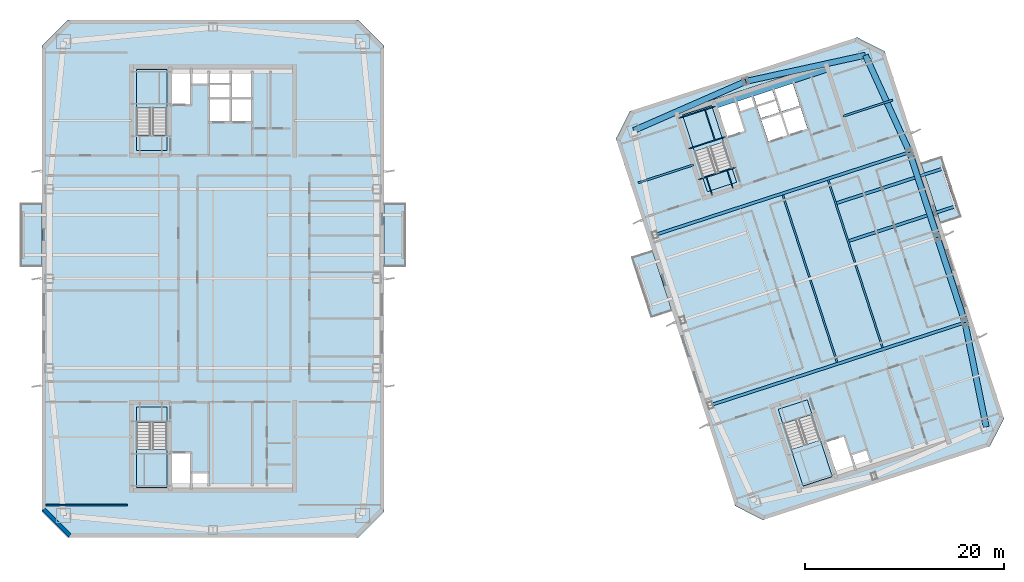
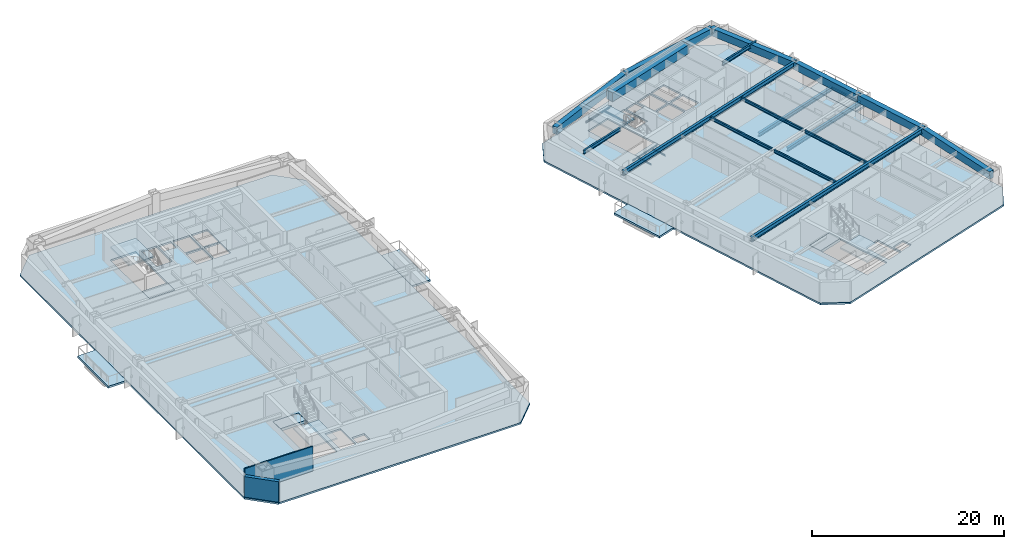
# One storey, part 4 of 17: 24 beams, 14 slabs, 2 walls, 4 elements without a shape of their own.
"""IFC4 building model written with IfcOpenShell, lengths in metres."""

from ifc_helpers import new_model, si_unit, direction, frame, frame_2d, origin, origin_2d, place, context, subcontext, project, spatial, polyline, rectangle, i_section, outline, extrude, material, layer, layer_set, material_profile, profile_set, type_object, element, aggregate, save


model = new_model("IFC4")

# Units and contexts
model_context = context("Model", 3, precision=1e-05, world=origin(), true_north=direction((0.0, 1.0)))
body_context = subcontext(model_context, "Body", "Model", "MODEL_VIEW")
ifc_project = project(units=[si_unit("LENGTHUNIT", "METRE"), si_unit("AREAUNIT", "SQUARE_METRE"), si_unit("VOLUMEUNIT", "CUBIC_METRE"), si_unit("PLANEANGLEUNIT", "RADIAN"), si_unit("MASSUNIT", "GRAM", prefix="KILO")], contexts=[model_context])

# Site, building, storey
site_placement = place(None, origin())
site = spatial("IfcSite", under=ifc_project, at=site_placement, CompositionType="ELEMENT")
building_placement = place(site_placement, origin())
building = spatial("IfcBuilding", under=site, at=building_placement, Name="Qiaolan Cultural Towers", CompositionType="ELEMENT")
storey_placement = place(building_placement, frame((0.0, 0.0, 205.85009765625)))
storey = spatial("IfcBuildingStorey", under=building, at=storey_placement, Name="L55", CompositionType="ELEMENT", Elevation=205.85009765625)

# Beams
ifc_material_1 = material(Name="Steel Q355B", Category="steel")
ifc_material_profile_1 = material_profile(ifc_material_1, i_section(OverallWidth=0.300048828125, OverallDepth=0.488037109375, WebThickness=0.010986328125, FlangeThickness=0.01806640625, at=origin_2d()), Name="HM488x300x11x18")
ifc_profile_set_1 = profile_set([ifc_material_profile_1], Name="Steel Q355B")
beam_type_1 = type_object("IfcBeamType", Name="BM-HM488x300x11x18", PredefinedType="BEAM", material=ifc_profile_set_1)
beam_1_placement = place(storey_placement, frame((93.823486328125, 37.765869140625, -0.524169921875), z_axis=(0.951061016342, 0.309003144311, 0.0), x_axis=(-0.309003144311, 0.951061016342, 0.0)))
element("IfcBeam", 1, at=beam_1_placement, inside=storey, type_object=beam_type_1, Name="L55 T2 Tree Balcony Back-Spanned Bracket Beam", PredefinedType="BEAM", context=body_context, shape_type="SweptSolid", body=[
    extrude(i_section(OverallWidth=0.300048828125, OverallDepth=0.488037109375, WebThickness=0.010986328125, FlangeThickness=0.01806640625, at=origin_2d()), origin(), (0.0, 0.0, 1.0), 11.449951171875),
])
beam_2_placement = place(storey_placement, frame((92.58740234375, 41.570068359375, -0.524169921875), z_axis=(0.951054749965, 0.309022430527, 0.0), x_axis=(-0.309022430527, 0.951054749965, 0.0)))
element("IfcBeam", 2, at=beam_2_placement, inside=storey, type_object=beam_type_1, Name="L55 T2 Tree Balcony Back-Spanned Bracket Beam", PredefinedType="BEAM", context=body_context, shape_type="SweptSolid", body=[
    extrude(i_section(OverallWidth=0.300048828125, OverallDepth=0.488037109375, WebThickness=0.010986328125, FlangeThickness=0.01806640625, at=origin_2d()), origin(), (0.0, 0.0, 1.0), 11.4501953125),
])
ifc_material_2 = material(Name="Steel Q355B", Category="steel")
ifc_material_profile_2 = material_profile(ifc_material_2, i_section(OverallWidth=0.300048828125, OverallDepth=0.587890625, WebThickness=0.011962890625, FlangeThickness=0.02001953125, at=origin_2d()), Name="HM588x300x12x20")
ifc_profile_set_2 = profile_set([ifc_material_profile_2], Name="Steel Q355B")
beam_type_2 = type_object("IfcBeamType", Name="BM-HM588x300x12x20", PredefinedType="BEAM", material=ifc_profile_set_2)
for number, where, z_axis, x_axis, name in (
    (3, (79.989501953125, 21.2841796875, 2.89599609375), (0.951056543098, 0.309016911884, 0.0), (-0.309016911884, 0.951056543098, 0.0), "L55 T2 Primary Transverse Girder V1"),
    (4, (74.42724609375, 38.4033203125, 2.89599609375), (0.951056543098, 0.309016911884, 0.0), (-0.309016911884, 0.951056543098, 0.0), "L55 T2 Primary Transverse Girder V3"),
):
    element("IfcBeam", number, at=place(storey_placement, frame(where, z_axis=z_axis, x_axis=x_axis)), inside=storey, type_object=beam_type_2, Name=name, PredefinedType="BEAM", context=body_context, shape_type="SweptSolid", body=[
        extrude(i_section(OverallWidth=0.300048828125, OverallDepth=0.587890625, WebThickness=0.011962890625, FlangeThickness=0.02001953125, at=origin_2d()), origin(), (0.0, 0.0, 1.0), 26.89990234375),
    ])
ifc_material_3 = material(Name="Steel Q355B", Category="steel")
ifc_material_profile_3 = material_profile(ifc_material_3, i_section(OverallWidth=0.175048828125, OverallDepth=0.35009765625, WebThickness=0.007080078125, FlangeThickness=0.010986328125, at=origin_2d()), Name="HN350x175x7x11")
ifc_profile_set_3 = profile_set([ifc_material_profile_3], Name="Steel Q355B")
beam_type_3 = type_object("IfcBeamType", Name="BM-JST-HN350x175x7x11", PredefinedType="JOIST", material=ifc_profile_set_3)
beam_3_placement = place(storey_placement, frame((104.713134765625, 41.303955078125, -0.524169921875), z_axis=(-0.3090046493, 0.951060527364, 0.0), x_axis=(-0.951060527364, -0.3090046493, 0.0)))
element("IfcBeam", 5, at=beam_3_placement, inside=storey, type_object=beam_type_3, Name="L55 T2 Tree Balcony Outer Edge Beam", PredefinedType="JOIST", context=body_context, shape_type="SweptSolid", body=[
    extrude(i_section(OverallWidth=0.175048828125, OverallDepth=0.35009765625, WebThickness=0.007080078125, FlangeThickness=0.010986328125, at=origin_2d()), origin(), (0.0, 0.0, 1.0), 4.000244140625),
])
for number, where, z_axis, x_axis, name in (
    (6, (92.73486328125, 25.583251953125, 3.014892578125), (-0.309020714809, 0.951055307445, 0.0), (-0.951055307445, -0.309020714809, 0.0), "L55 T2 Secondary Floor Joist U2-2"),
    (7, (89.95361328125, 34.142578125, 3.014892578125), (-0.309020714809, 0.951055307445, 0.0), (-0.951055307445, -0.309020714809, 0.0), "L55 T2 Secondary Floor Joist U2-3"),
    (8, (97.2998046875, 27.06640625, 3.014892578125), (-0.309020714809, 0.951055307445, 0.0), (-0.951055307445, -0.309020714809, 0.0), "L55 T2 Secondary Floor Joist U3-2"),
    (9, (94.518798828125, 35.6259765625, 3.014892578125), (-0.309020714809, 0.951055307445, 0.0), (-0.951055307445, -0.309020714809, 0.0), "L55 T2 Secondary Floor Joist U3-3"),
):
    element("IfcBeam", number, at=place(storey_placement, frame(where, z_axis=z_axis, x_axis=x_axis)), inside=storey, type_object=beam_type_3, Name=name, PredefinedType="JOIST", context=body_context, shape_type="SweptSolid", body=[
        extrude(i_section(OverallWidth=0.175048828125, OverallDepth=0.35009765625, WebThickness=0.007080078125, FlangeThickness=0.010986328125, at=origin_2d()), origin(), (0.0, 0.0, 1.0), 8.699951171875),
    ])
ifc_material_4 = material(Name="Steel Q355B", Category="steel")
ifc_material_profile_4 = material_profile(ifc_material_4, i_section(OverallWidth=0.199951171875, OverallDepth=0.449951171875, WebThickness=0.009033203125, FlangeThickness=0.013916015625, at=origin_2d()), Name="HN450x200x9x14")
ifc_profile_set_4 = profile_set([ifc_material_profile_4], Name="Steel Q355B")
beam_type_4 = type_object("IfcBeamType", Name="BM-LNT-HN450x200x9x14", PredefinedType="LINTEL", material=ifc_profile_set_4)
beam_4_placement = place(storey_placement, frame((78.291259765625, 45.44189453125, 2.96484375), z_axis=(-0.951051548326, -0.309032283793, 0.0), x_axis=(0.309032283793, -0.951051548326, 0.0)))
element("IfcBeam", 10, at=beam_4_placement, inside=storey, type_object=beam_type_4, Name="L55 T2 Core Flank Tie Lintel WN", PredefinedType="LINTEL", context=body_context, shape_type="SweptSolid", body=[
    extrude(i_section(OverallWidth=0.199951171875, OverallDepth=0.449951171875, WebThickness=0.009033203125, FlangeThickness=0.013916015625, at=origin_2d()), origin(), (0.0, 0.0, 1.0), 5.85009765625),
])
beam_5_placement = place(storey_placement, frame((93.31787109375, 50.32421875, 2.96484375), z_axis=(0.951060037126, 0.309006158161, 0.0), x_axis=(-0.309006158161, 0.951060037126, 0.0)))
element("IfcBeam", 11, at=beam_5_placement, inside=storey, type_object=beam_type_4, Name="L55 T2 Core Flank Tie Lintel EN", PredefinedType="LINTEL", context=body_context, shape_type="SweptSolid", body=[
    extrude(i_section(OverallWidth=0.199951171875, OverallDepth=0.449951171875, WebThickness=0.009033203125, FlangeThickness=0.013916015625, at=origin_2d()), origin(), (0.0, 0.0, 1.0), 5.25),
])
ifc_material_5 = material(Name="Concrete C50", Category="concrete")
ifc_material_profile_5 = material_profile(ifc_material_5, rectangle(XDim=0.89990234375, YDim=1.10009765625, at=origin_2d()), Name="RC900x1100")
ifc_profile_set_5 = profile_set([ifc_material_profile_5], Name="Concrete C50")
beam_type_5 = type_object("IfcBeamType", Name="BM-RC900x1100", PredefinedType="BEAM", material=ifc_profile_set_5)
beam_6_placement = place(storey_placement, frame((80.427978515625, 51.551025390625, 2.639892578125), z_axis=(0.951056266386, 0.309017763514, 0.0), x_axis=(-0.309017763514, 0.951056266386, 0.0)))
element("IfcBeam", 12, at=beam_6_placement, inside=storey, type_object=beam_type_5, Name="L55 T2 Core Header Girder N", PredefinedType="BEAM", context=body_context, shape_type="SweptSolid", body=[
    extrude(rectangle(XDim=0.89990234375, YDim=1.10009765625, at=origin_2d()), origin(), (0.0, 0.0, 1.0), 11.880126953125),
])
ifc_material_6 = material(Name="Concrete C50", Category="concrete")
ifc_material_profile_6 = material_profile(ifc_material_6, rectangle(XDim=0.60009765625, YDim=0.949951171875, at=origin_2d()), Name="RC600x950")
ifc_profile_set_6 = profile_set([ifc_material_profile_6], Name="Concrete C50")
beam_type_6 = type_object("IfcBeamType", Name="BM-SPD-RC600x950", PredefinedType="SPANDREL", material=ifc_profile_set_6)
beam_7_placement = place(storey_placement, frame((107.7099609375, 19.103515625, 2.71484375), z_axis=(-0.199578538116, 0.979881833245, 0.0), x_axis=(-0.979881833245, -0.199578538116, 0.0)))
element("IfcBeam", 13, at=beam_7_placement, inside=storey, type_object=beam_type_6, Name="L55 T2 Perimeter Spandrel Beam 3", PredefinedType="SPANDREL", context=body_context, shape_type="SweptSolid", body=[
    extrude(rectangle(XDim=0.60009765625, YDim=0.949951171875, at=origin_2d()), origin(), (0.0, 0.0, 1.0), 10.70849609375),
])
for number, where, z_axis, x_axis, name in (
    (14, (105.57275390625, 29.5966796875, 2.71484375), (-0.309000197986, 0.951061973609, 0.0), (-0.951061973609, -0.309000197986, 0.0), "L55 T2 Perimeter Spandrel Beam 4"),
    (15, (102.791748046875, 38.15625, 2.71484375), (-0.309024734286, 0.951054001411, 0.0), (-0.951054001411, -0.309024734286, 0.0), "L55 T2 Perimeter Spandrel Beam 5"),
):
    element("IfcBeam", number, at=place(storey_placement, frame(where, z_axis=z_axis, x_axis=x_axis)), inside=storey, type_object=beam_type_6, Name=name, PredefinedType="SPANDREL", context=body_context, shape_type="SweptSolid", body=[
        extrude(rectangle(XDim=0.60009765625, YDim=0.949951171875, at=origin_2d()), origin(), (0.0, 0.0, 1.0), 9.0),
    ])
beam_8_placement = place(storey_placement, frame((100.010498046875, 46.7158203125, 2.71484375), z_axis=(-0.414500208282, 0.910049216985, 0.0), x_axis=(-0.910049216985, -0.414500208282, 0.0)))
element("IfcBeam", 16, at=beam_8_placement, inside=storey, type_object=beam_type_6, Name="L55 T2 Perimeter Spandrel Beam 6", PredefinedType="SPANDREL", context=body_context, shape_type="SweptSolid", body=[
    extrude(rectangle(XDim=0.60009765625, YDim=0.949951171875, at=origin_2d()), origin(), (0.0, 0.0, 1.0), 10.70849609375),
])
beam_9_placement = place(storey_placement, frame((95.57177734375, 56.461181640625, 2.71484375), z_axis=(-0.976843395078, -0.213955559619, 0.0), x_axis=(0.213955559619, -0.976843395078, 0.0)))
element("IfcBeam", 17, at=beam_9_placement, inside=storey, type_object=beam_type_6, Name="L55 T2 Perimeter Spandrel Beam 7", PredefinedType="SPANDREL", context=body_context, shape_type="SweptSolid", body=[
    extrude(rectangle(XDim=0.60009765625, YDim=0.949951171875, at=origin_2d()), origin(), (0.0, 0.0, 1.0), 12.2998046875),
])
beam_10_placement = place(storey_placement, frame((83.556884765625, 53.82958984375, 2.71484375), z_axis=(-0.916042038824, -0.401082264762, 0.0), x_axis=(0.401082264762, -0.916042038824, 0.0)))
element("IfcBeam", 18, at=beam_10_placement, inside=storey, type_object=beam_type_6, Name="L55 T2 Perimeter Spandrel Beam 8", PredefinedType="SPANDREL", context=body_context, shape_type="SweptSolid", body=[
    extrude(rectangle(XDim=0.60009765625, YDim=0.949951171875, at=origin_2d()), origin(), (0.0, 0.0, 1.0), 12.299560546875),
])
ifc_material_7 = material(Name="Steel Q355B", Category="steel")
ifc_material_profile_7 = material_profile(ifc_material_7, i_section(OverallWidth=0.10009765625, OverallDepth=0.199951171875, WebThickness=0.005615234375, FlangeThickness=0.008056640625, at=origin_2d()), Name="HN200x100x5.5x8")
ifc_profile_set_7 = profile_set([ifc_material_profile_7], Name="Steel Q355B")
beam_type_7 = type_object("IfcBeamType", Name="BM-STTRIM-200", PredefinedType="BEAM", material=ifc_profile_set_7)
beam_11_placement = place(storey_placement, frame((78.773193359375, 43.958251953125, -0.460205078125), z_axis=(0.951072048947, 0.3089691857, 0.0), x_axis=(-0.3089691857, 0.951072048947, 0.0)))
element("IfcBeam", 19, at=beam_11_placement, inside=storey, type_object=beam_type_7, Name="L55 ST-E2 Floor Landing Header Beam", PredefinedType="BEAM", context=body_context, shape_type="SweptSolid", body=[
    extrude(i_section(OverallWidth=0.10009765625, OverallDepth=0.199951171875, WebThickness=0.005615234375, FlangeThickness=0.008056640625, at=origin_2d()), origin(), (0.0, 0.0, 1.0), 3.920166015625),
])
for number, where, z_axis, x_axis, name in (
    (20, (80.18115234375, 42.375732421875, -0.460205078125), (-0.308969394428, 0.951071981138, 0.0), (-0.951071981138, -0.308969394428, 0.0), "L55 ST-E2 Floor Landing Stringer 1"),
    (21, (82.2734375, 43.0556640625, -0.460205078125), (-0.308969394428, 0.951071981138, 0.0), (-0.951071981138, -0.308969394428, 0.0), "L55 ST-E2 Floor Landing Stringer 2"),
):
    element("IfcBeam", number, at=place(storey_placement, frame(where, z_axis=z_axis, x_axis=x_axis)), inside=storey, type_object=beam_type_7, Name=name, PredefinedType="BEAM", context=body_context, shape_type="SweptSolid", body=[
        extrude(i_section(OverallWidth=0.10009765625, OverallDepth=0.199951171875, WebThickness=0.005615234375, FlangeThickness=0.008056640625, at=origin_2d()), origin(), (0.0, 0.0, 1.0), 1.93994140625),
    ])
for number, where, z_axis, x_axis, name in (
    (22, (77.769287109375, 47.0478515625, 1.4248046875), (0.951053746643, 0.309025518358, 0.0), (-0.309025518358, 0.951053746643, 0.0), "L55 ST-E2 Stair Landing Support Beam 1-1"),
    (23, (76.770751953125, 50.12109375, 1.4248046875), (0.951072048947, 0.3089691857, 0.0), (-0.3089691857, 0.951072048947, 0.0), "L55 ST-E2 Stair Landing Support Beam 1-2"),
):
    element("IfcBeam", number, at=place(storey_placement, frame(where, z_axis=z_axis, x_axis=x_axis)), inside=storey, type_object=beam_type_7, Name=name, PredefinedType="BEAM", context=body_context, shape_type="SweptSolid", body=[
        extrude(i_section(OverallWidth=0.10009765625, OverallDepth=0.199951171875, WebThickness=0.005615234375, FlangeThickness=0.008056640625, at=origin_2d()), origin(), (0.0, 0.0, 1.0), 3.920166015625),
    ])
beam_12_placement = place(storey_placement, frame((80.44189453125, 47.916259765625, 1.4248046875), z_axis=(-0.309033108495, 0.951051280349, 0.0), x_axis=(-0.951051280349, -0.309033108495, 0.0)))
element("IfcBeam", 24, at=beam_12_placement, inside=storey, type_object=beam_type_7, Name="L55 ST-E2 Stair Landing Trimmer 1", PredefinedType="BEAM", context=body_context, shape_type="SweptSolid", body=[
    extrude(i_section(OverallWidth=0.10009765625, OverallDepth=0.199951171875, WebThickness=0.005615234375, FlangeThickness=0.008056640625, at=origin_2d()), origin(), (0.0, 0.0, 1.0), 3.231201171875),
])

# Slabs
ifc_material_8 = material(Name="Concrete C45", Category="concrete")
ifc_layer_1 = layer(ifc_material_8, 0.239990234375)
ifc_layer_set_1 = layer_set([ifc_layer_1], Name="Concrete C45")
slab_type_1 = type_object("IfcSlabType", Name="SL-BAL-240", PredefinedType="FLOOR", material=ifc_layer_set_1)
slab_1_placement = place(storey_placement, frame((0.0, 0.0, -0.239990234375)))
element("IfcSlab", 25, at=slab_1_placement, inside=storey, type_object=slab_type_1, Name="L55 T1 Planted Tree Balcony W", PredefinedType="FLOOR", context=body_context, shape_type="SweptSolid", body=[
    extrude(outline(polyline([(10.60009765625, 35.199951171875), (12.800048828125, 35.199951171875), (12.800048828125, 41.60009765625), (10.60009765625, 41.60009765625), (10.60009765625, 35.199951171875)])), origin(), (0.0, 0.0, 1.0), 0.239990234375),
])
slab_2_placement = place(storey_placement, frame((0.0, 0.0, -0.239990234375)))
element("IfcSlab", 26, at=slab_2_placement, inside=storey, type_object=slab_type_1, Name="L55 T1 Planted Tree Balcony E", PredefinedType="FLOOR", context=body_context, shape_type="SweptSolid", body=[
    extrude(outline(polyline([(47.199951171875, 35.199951171875), (49.39990234375, 35.199951171875), (49.39990234375, 41.60009765625), (47.199951171875, 41.60009765625), (47.199951171875, 35.199951171875)])), origin(), (0.0, 0.0, 1.0), 0.239990234375),
])
slab_3_placement = place(storey_placement, frame((0.0, 0.0, -0.239990234375)))
element("IfcSlab", 27, at=slab_3_placement, inside=storey, type_object=slab_type_1, Name="L55 T2 Planted Tree Balcony W", PredefinedType="FLOOR", context=body_context, shape_type="SweptSolid", body=[
    extrude(outline(polyline([(74.03173828125, 30.073486328125), (76.124267578125, 30.753173828125), (74.146484375, 36.840087890625), (72.05419921875, 36.16015625), (74.03173828125, 30.073486328125)])), origin(), (0.0, 0.0, 1.0), 0.239990234375),
])
slab_4_placement = place(storey_placement, frame((0.0, 0.0, -0.239990234375)))
element("IfcSlab", 28, at=slab_4_placement, inside=storey, type_object=slab_type_1, Name="L55 T2 Planted Tree Balcony E", PredefinedType="FLOOR", context=body_context, shape_type="SweptSolid", body=[
    extrude(outline(polyline([(103.13427734375, 39.529296875), (105.2265625, 40.209228515625), (103.248779296875, 46.2958984375), (101.156494140625, 45.615966796875), (103.13427734375, 39.529296875)])), origin(), (0.0, 0.0, 1.0), 0.239990234375),
])

# Stair, slab
ifc_material_9 = material(Name="Concrete C45", Category="concrete")
stair_type = type_object("IfcStairType", Name="STR-CORE-1500", PredefinedType="HALF_TURN_STAIR", material=ifc_material_9)
stair_1_placement = place(storey_placement, origin())
stair_1 = element("IfcStair", 29, at=stair_1_placement, inside=storey, type_object=stair_type, Name="L55 Smokeproof Exit Stair ST-W1", PredefinedType="HALF_TURN_STAIR")
ifc_material_10 = material(Name="Concrete C45", Category="concrete")
ifc_layer_2 = layer(ifc_material_10, 0.199951171875)
ifc_layer_set_2 = layer_set([ifc_layer_2], Name="Concrete C45")
slab_type_2 = type_object("IfcSlabType", Name="SL-STAIR-LAND", PredefinedType="LANDING", material=ifc_layer_set_2)
slab_5_placement = place(storey_placement, frame((0.0, 0.0, 1.52490234375)))
slab_5 = element("IfcSlab", 30, at=slab_5_placement, type_object=slab_type_2, Name="ST-W1 landing 1", PredefinedType="LANDING", context=body_context, shape_type="SweptSolid", body=[
    extrude(outline(polyline([(22.300048828125, 16.851318359375), (22.300048828125, 13.0), (25.3798828125, 13.0), (25.3798828125, 16.851318359375), (22.300048828125, 16.851318359375)])), origin(), (0.0, 0.0, 1.0), 0.199951171875),
])
aggregate(stair_1, [slab_5])

stair_2_placement = place(storey_placement, origin())
stair_2 = element("IfcStair", 31, at=stair_2_placement, inside=storey, type_object=stair_type, Name="L55 Smokeproof Exit Stair ST-W2", PredefinedType="HALF_TURN_STAIR")
slab_6_placement = place(storey_placement, frame((0.0, 0.0, 1.52490234375)))
slab_6 = element("IfcSlab", 32, at=slab_6_placement, type_object=slab_type_2, Name="ST-W2 landing 1", PredefinedType="LANDING", context=body_context, shape_type="SweptSolid", body=[
    extrude(outline(polyline([(25.3798828125, 51.148681640625), (25.3798828125, 55.0), (22.300048828125, 55.0), (22.300048828125, 51.148681640625), (25.3798828125, 51.148681640625)])), origin(), (0.0, 0.0, 1.0), 0.199951171875),
])
aggregate(stair_2, [slab_6])

stair_3_placement = place(storey_placement, origin())
stair_3 = element("IfcStair", 33, at=stair_3_placement, inside=storey, type_object=stair_type, Name="L55 Smokeproof Exit Stair ST-E1", PredefinedType="HALF_TURN_STAIR")
slab_7_placement = place(storey_placement, frame((0.0, 0.0, 1.52490234375)))
slab_7 = element("IfcSlab", 34, at=slab_7_placement, type_object=slab_type_2, Name="ST-E1 landing 1", PredefinedType="LANDING", context=body_context, shape_type="SweptSolid", body=[
    extrude(outline(polyline([(88.114013671875, 16.828125), (89.30419921875, 13.165283203125), (92.2333984375, 14.116943359375), (91.04345703125, 17.77978515625), (88.114013671875, 16.828125)])), origin(), (0.0, 0.0, 1.0), 0.199951171875),
])
aggregate(stair_3, [slab_7])

stair_4_placement = place(storey_placement, origin())
stair_4 = element("IfcStair", 35, at=stair_4_placement, inside=storey, type_object=stair_type, Name="L55 Smokeproof Exit Stair ST-E2", PredefinedType="HALF_TURN_STAIR")
slab_8_placement = place(storey_placement, frame((0.0, 0.0, 1.52490234375)))
slab_8 = element("IfcSlab", 36, at=slab_8_placement, type_object=slab_type_2, Name="ST-E2 landing 1", PredefinedType="LANDING", context=body_context, shape_type="SweptSolid", body=[
    extrude(outline(polyline([(81.31005859375, 47.735595703125), (80.1201171875, 51.3984375), (77.190673828125, 50.44677734375), (78.380859375, 46.783935546875), (81.31005859375, 47.735595703125)])), origin(), (0.0, 0.0, 1.0), 0.199951171875),
])
aggregate(stair_4, [slab_8])

# Slabs
ifc_material_11 = material(Name="Concrete C40", Category="concrete")
ifc_layer_3 = layer(ifc_material_11, 0.360107421875)
ifc_layer_set_3 = layer_set([ifc_layer_3], Name="Concrete C40")
slab_type_3 = type_object("IfcSlabType", Name="SL-STFLR-360", PredefinedType="LANDING", material=ifc_layer_set_3)
slab_9_placement = place(storey_placement, frame((0.0, 0.0, -0.360107421875)))
element("IfcSlab", 37, at=slab_9_placement, inside=storey, type_object=slab_type_3, Name="L55 ST-W1 Stair Floor Landing Slab", PredefinedType="LANDING", context=body_context, shape_type="SweptSolid", body=[
    extrude(outline(polyline([(22.302001953125, 21.097900390625), (22.302001953125, 19.548583984375), (25.3779296875, 19.548583984375), (25.3779296875, 21.097900390625), (22.302001953125, 21.097900390625)])), origin(), (0.0, 0.0, 1.0), 0.360107421875),
])
slab_10_placement = place(storey_placement, frame((0.0, 0.0, -0.360107421875)))
element("IfcSlab", 38, at=slab_10_placement, inside=storey, type_object=slab_type_3, Name="L55 ST-W2 Stair Floor Landing Slab", PredefinedType="LANDING", context=body_context, shape_type="SweptSolid", body=[
    extrude(outline(polyline([(25.3779296875, 46.902099609375), (25.3779296875, 48.451416015625), (22.302001953125, 48.451416015625), (22.302001953125, 46.902099609375), (25.3779296875, 46.902099609375)])), origin(), (0.0, 0.0, 1.0), 0.360107421875),
])
slab_11_placement = place(storey_placement, frame((0.0, 0.0, -0.360107421875)))
element("IfcSlab", 39, at=slab_11_placement, inside=storey, type_object=slab_type_3, Name="L55 ST-E1 Stair Floor Landing Slab", PredefinedType="LANDING", context=body_context, shape_type="SweptSolid", body=[
    extrude(outline(polyline([(86.8037109375, 20.867431640625), (87.282470703125, 19.39404296875), (90.2080078125, 20.3447265625), (89.729248046875, 21.818115234375), (86.8037109375, 20.867431640625)])), origin(), (0.0, 0.0, 1.0), 0.360107421875),
])
slab_12_placement = place(storey_placement, frame((0.0, 0.0, -0.360107421875)))
element("IfcSlab", 40, at=slab_12_placement, inside=storey, type_object=slab_type_3, Name="L55 ST-E2 Stair Floor Landing Slab", PredefinedType="LANDING", context=body_context, shape_type="SweptSolid", body=[
    extrude(outline(polyline([(82.62060546875, 43.6962890625), (82.141845703125, 45.169677734375), (79.21630859375, 44.21923828125), (79.695068359375, 42.74560546875), (82.62060546875, 43.6962890625)])), origin(), (0.0, 0.0, 1.0), 0.360107421875),
])
ifc_material_12 = material(Name="Concrete C45", Category="concrete")
ifc_layer_4 = layer(ifc_material_12, 0.219970703125)
ifc_layer_set_4 = layer_set([ifc_layer_4], Name="Concrete C45")
slab_type_4 = type_object("IfcSlabType", Name="SL-TYP-220", PredefinedType="FLOOR", material=ifc_layer_set_4)
slab_13_placement = place(storey_placement, frame((0.0, 0.0, -0.22021484375)))
element("IfcSlab", 41, at=slab_13_placement, inside=storey, type_object=slab_type_4, Name="L55 West Tower Floor Slab", PredefinedType="FLOOR", context=body_context, shape_type="SweptSolid", body=[
    extrude(outline(polyline([(15.39990234375, 8.0), (44.60009765625, 8.0), (47.199951171875, 10.60009765625), (47.199951171875, 57.39990234375), (44.60009765625, 60.0), (15.39990234375, 60.0), (12.800048828125, 57.39990234375), (12.800048828125, 10.60009765625), (15.39990234375, 8.0)]), holes=[polyline([(22.300048828125, 21.10009765625), (22.300048828125, 13.0), (25.3798828125, 13.0), (25.3798828125, 21.10009765625), (22.300048828125, 21.10009765625)]), polyline([(25.3798828125, 46.89990234375), (25.3798828125, 55.0), (22.300048828125, 55.0), (22.300048828125, 46.89990234375), (25.3798828125, 46.89990234375)]), polyline([(25.89990234375, 13.199951171875), (27.75, 13.199951171875), (27.75, 16.449951171875), (25.89990234375, 16.449951171875), (25.89990234375, 13.199951171875)]), polyline([(27.93994140625, 13.25), (29.449951171875, 13.25), (29.449951171875, 14.419921875), (27.93994140625, 14.419921875), (27.93994140625, 13.25)]), polyline([(25.89990234375, 51.550048828125), (27.75, 51.550048828125), (27.75, 54.800048828125), (25.89990234375, 54.800048828125), (25.89990234375, 51.550048828125)]), polyline([(27.93994140625, 53.580078125), (29.449951171875, 53.580078125), (29.449951171875, 54.75), (27.93994140625, 54.75), (27.93994140625, 53.580078125)]), polyline([(29.679931640625, 49.820068359375), (31.679931640625, 49.820068359375), (31.679931640625, 52.080078125), (29.679931640625, 52.080078125), (29.679931640625, 49.820068359375)]), polyline([(31.8798828125, 49.820068359375), (33.820068359375, 49.820068359375), (33.820068359375, 52.080078125), (31.8798828125, 52.080078125), (31.8798828125, 49.820068359375)]), polyline([(29.679931640625, 52.27001953125), (31.659912109375, 52.27001953125), (31.659912109375, 54.75), (29.679931640625, 54.75), (29.679931640625, 52.27001953125)]), polyline([(31.8798828125, 52.27001953125), (33.820068359375, 52.27001953125), (33.820068359375, 54.75), (31.8798828125, 54.75), (31.8798828125, 52.27001953125)])]), origin(), (0.0, 0.0, 1.0), 0.22021484375),
])
slab_14_placement = place(storey_placement, frame((0.0, 0.0, -0.22021484375)))
element("IfcSlab", 42, at=slab_14_placement, inside=storey, type_object=slab_type_4, Name="L55 East Tower Floor Slab", PredefinedType="FLOOR", context=body_context, shape_type="SweptSolid", body=[
    extrude(outline(polyline([(85.26220703125, 9.7490234375), (108.08740234375, 17.165283203125), (109.5, 19.9375), (97.510009765625, 56.838623046875), (94.73779296875, 58.2509765625), (71.91259765625, 50.834716796875), (70.5, 48.0625), (82.489990234375, 11.161376953125), (85.26220703125, 9.7490234375)]), holes=[polyline([(86.80126953125, 20.868896484375), (89.30419921875, 13.165283203125), (92.2333984375, 14.116943359375), (89.73046875, 21.820556640625), (86.80126953125, 20.868896484375)]), polyline([(82.623046875, 43.69482421875), (80.1201171875, 51.3984375), (77.190673828125, 50.44677734375), (79.69384765625, 42.7431640625), (82.623046875, 43.69482421875)]), polyline([(92.666259765625, 14.468017578125), (94.42578125, 15.03955078125), (93.42138671875, 18.130615234375), (91.661865234375, 17.558837890625), (92.666259765625, 14.468017578125)]), polyline([(94.5908203125, 15.14599609375), (96.027099609375, 15.612548828125), (95.66552734375, 16.725341796875), (94.2294921875, 16.258544921875), (94.5908203125, 15.14599609375)]), polyline([(81.6806640625, 48.278076171875), (83.440185546875, 48.849609375), (82.435791015625, 51.940673828125), (80.67626953125, 51.368896484375), (81.6806640625, 48.278076171875)]), polyline([(82.993408203125, 50.839111328125), (84.4296875, 51.3056640625), (84.068115234375, 52.41845703125), (82.632080078125, 51.95166015625), (82.993408203125, 50.839111328125)]), polyline([(85.810302734375, 47.80078125), (87.71240234375, 48.418701171875), (87.013916015625, 50.568115234375), (85.11181640625, 49.9501953125), (85.810302734375, 47.80078125)]), polyline([(87.902587890625, 48.480712890625), (89.74755859375, 49.080078125), (89.04931640625, 51.2294921875), (87.2041015625, 50.6298828125), (87.902587890625, 48.480712890625)]), polyline([(85.05322265625, 50.130859375), (86.936279296875, 50.74267578125), (86.169921875, 53.101318359375), (84.286865234375, 52.489501953125), (85.05322265625, 50.130859375)]), polyline([(87.1455078125, 50.810791015625), (88.990478515625, 51.41015625), (88.22412109375, 53.768798828125), (86.379150390625, 53.169189453125), (87.1455078125, 50.810791015625)])]), origin(), (0.0, 0.0, 1.0), 0.22021484375),
])

# Walls
ifc_material_13 = material(Name="Precast Concrete C50 Honed Stone Pier", Category="masonry")
ifc_layer_5 = layer(ifc_material_13, 0.39990234375)
ifc_layer_set_5 = layer_set([ifc_layer_5], Name="Precast Concrete C50 Honed Stone Pier")
wall_type_1 = type_object("IfcWallType", Name="WL-EXT-PIER-400", PredefinedType="SOLIDWALL", material=ifc_layer_set_5)
wall_1_placement = place(storey_placement, frame((15.60009765625, 8.199951171875, 0.0), z_axis=(0.0, 0.0, 1.0), x_axis=(-0.707106781187, 0.707106781187, 0.0)))
element("IfcWall", 43, at=wall_1_placement, inside=storey, type_object=wall_type_1, Name="L55 West Tower Precast Pier Facade Wall F8", PredefinedType="SOLIDWALL", context=body_context, shape_type="SweptSolid", body=[
    extrude(rectangle(XDim=3.677001953125, YDim=0.39990234375, at=frame_2d((1.83837890625, 0.0))), origin(), (0.0, 0.0, 1.0), 2.60986328125),
])
ifc_material_14 = material(Name="Autoclaved Aerated Concrete Block B06", Category="concrete")
ifc_layer_6 = layer(ifc_material_14, 0.14990234375)
ifc_layer_set_6 = layer_set([ifc_layer_6], Name="Autoclaved Aerated Concrete Block B06")
wall_type_2 = type_object("IfcWallType", Name="WL-PART-150", PredefinedType="PARTITIONING", material=ifc_layer_set_6)
wall_2_placement = place(storey_placement, frame((13.199951171875, 11.25, 0.0), z_axis=(0.0, 0.0, 1.0), x_axis=(1.0, 0.0, 0.0)))
element("IfcWall", 44, at=wall_2_placement, inside=storey, type_object=wall_type_2, Name="L55 T1 Flank Wall FLK-SW", PredefinedType="PARTITIONING", context=body_context, shape_type="SweptSolid", body=[
    extrude(rectangle(XDim=8.199951171875, YDim=0.14990234375, at=frame_2d((4.10009765625, 0.0))), origin(), (0.0, 0.0, 1.0), 3.1748046875),
])

save(model, "model.ifc")
